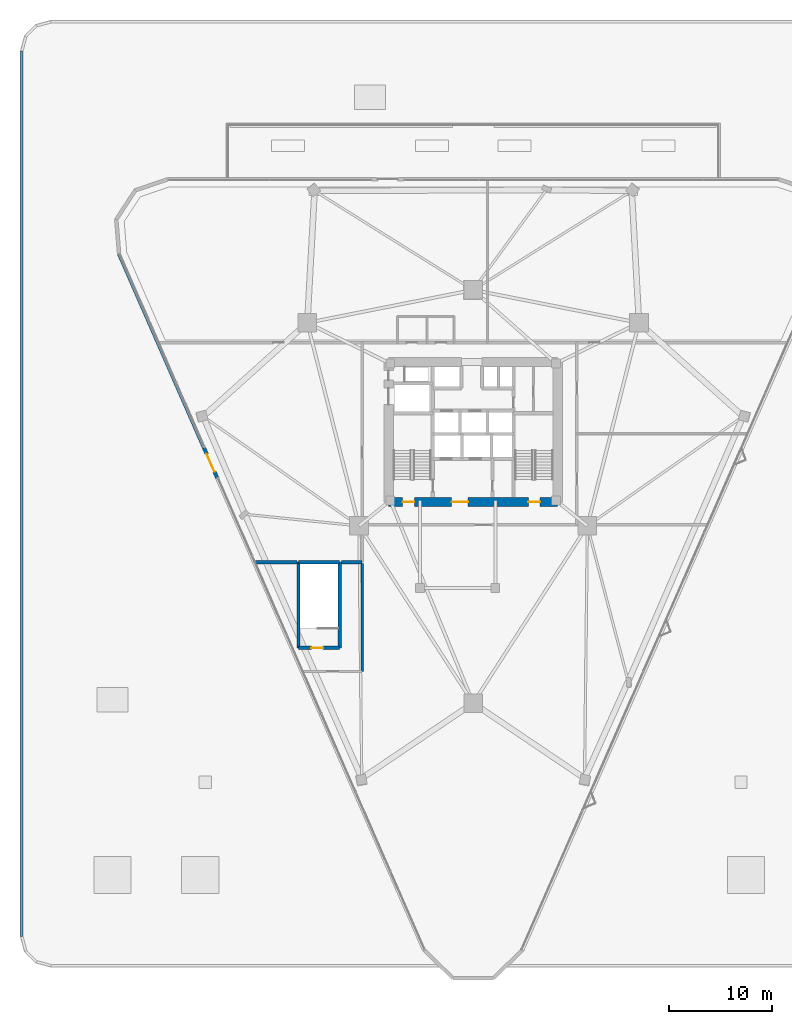
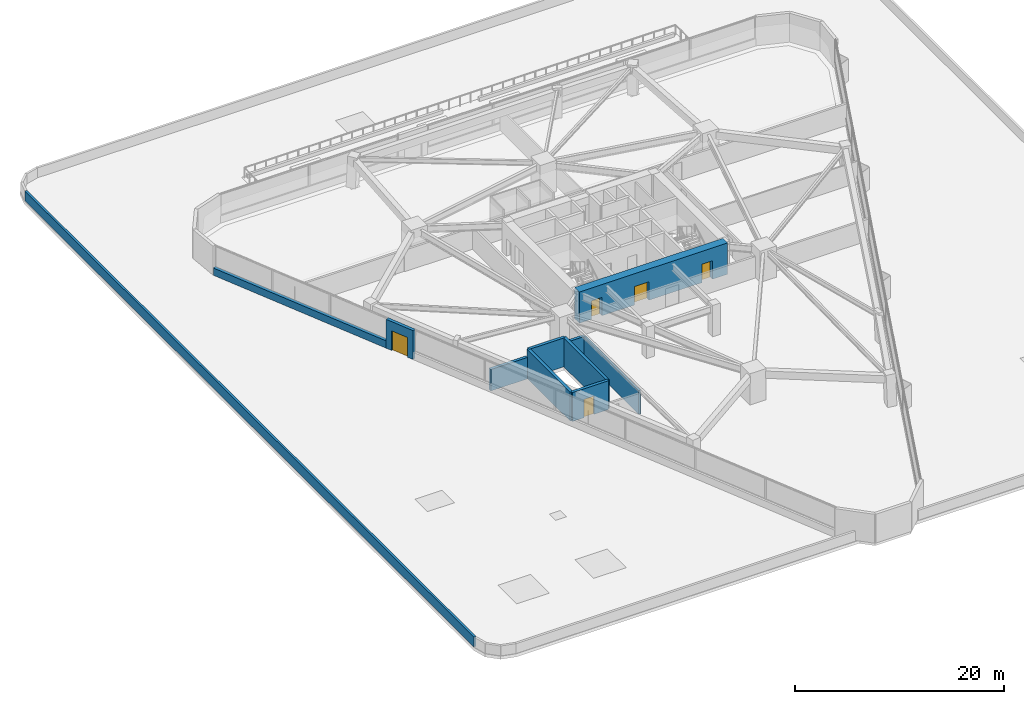
# One storey, part 16 of 21: 11 walls, 5 doors, 5 openings.
"""IFC4 building model written with IfcOpenShell, lengths in metres."""

from ifc_helpers import new_model, si_unit, direction, frame, frame_2d, origin, place, context, subcontext, project, spatial, rectangle, extrude, material, layer, layer_set, type_object, element, fill, save


model = new_model("IFC4")

# Units and contexts
model_context = context("Model", 3, precision=1e-05, world=origin(), true_north=direction((0.0, 1.0)))
body_context = subcontext(model_context, "Body", "Model", "MODEL_VIEW")
ifc_project = project(units=[si_unit("LENGTHUNIT", "METRE"), si_unit("AREAUNIT", "SQUARE_METRE"), si_unit("VOLUMEUNIT", "CUBIC_METRE"), si_unit("PLANEANGLEUNIT", "RADIAN"), si_unit("MASSUNIT", "GRAM", prefix="KILO")], contexts=[model_context])

# Site, building, storey
site_placement = place(None, origin())
site = spatial("IfcSite", under=ifc_project, at=site_placement, CompositionType="ELEMENT")
building_placement = place(site_placement, origin())
building = spatial("IfcBuilding", under=site, at=building_placement, Name="Talyreon Biosciences Tower", CompositionType="ELEMENT")
storey_placement = place(building_placement, frame((0.0, 0.0, 22.800048828125)))
storey = spatial("IfcBuildingStorey", under=building, at=storey_placement, Name="L05", CompositionType="ELEMENT", Elevation=22.800048828125)

# Walls
ifc_material_1 = material(Name="Concrete C50/60", Category="concrete")
ifc_layer_1 = layer(ifc_material_1, 0.320068359375)
ifc_layer_set_1 = layer_set([ifc_layer_1], Name="Concrete C50/60")
wall_type_1 = type_object("IfcWallType", Name="CoreShearWall_320", PredefinedType="SHEAR", material=ifc_layer_set_1)
for number, where, z_axis, x_axis, name in (
    (1, (49.0400390625, 47.0400390625, 0.0), (0.0, 0.0, 1.0), (0.0, 1.0, 0.0), "L05 Stair ST-3 Structural Wall W"),
    (2, (53.0400390625, 47.0400390625, 0.0), (0.0, 0.0, 1.0), (0.0, 1.0, 0.0), "L05 Stair ST-3 Structural Wall E"),
):
    element("IfcWall", number, at=place(storey_placement, frame(where, z_axis=z_axis, x_axis=x_axis)), inside=storey, type_object=wall_type_1, Name=name, PredefinedType="SHEAR", context=body_context, shape_type="SweptSolid", body=[
        extrude(rectangle(XDim=8.320068359375, YDim=0.320068359375, at=frame_2d((4.16015625, 0.0))), origin(), (0.0, 0.0, 1.0), 3.375),
    ])
wall_1_placement = place(storey_placement, frame((49.0400390625, 55.360107421875, 0.0), z_axis=(0.0, 0.0, 1.0), x_axis=(1.0, 0.0, 0.0)))
element("IfcWall", 3, at=wall_1_placement, inside=storey, type_object=wall_type_1, Name="L05 Stair ST-3 Structural Wall N", PredefinedType="SHEAR", context=body_context, shape_type="SweptSolid", body=[
    extrude(rectangle(XDim=4.0, YDim=0.320068359375, at=frame_2d((2.0, 0.0))), origin(), (0.0, 0.0, 1.0), 3.375),
])

# Wall, opening, door
wall_2_placement = place(storey_placement, frame((49.0400390625, 47.0400390625, 0.0), z_axis=(0.0, 0.0, 1.0), x_axis=(1.0, 0.0, 0.0)))
wall_2 = element("IfcWall", 4, at=wall_2_placement, inside=storey, type_object=wall_type_1, Name="L05 Stair ST-3 Structural Wall S", PredefinedType="SHEAR", context=body_context, shape_type="SweptSolid", body=[
    extrude(rectangle(XDim=4.0, YDim=0.320068359375, at=frame_2d((2.0, 0.0))), origin(), (0.0, 0.0, 1.0), 3.375),
])
opening_1_placement = place(wall_2_placement, frame((1.25, 0.0, 0.0)))
opening_1 = element("IfcOpeningElement", 5, at=opening_1_placement, cuts=wall_2, Name="Opening DR-L05-ST3", PredefinedType="OPENING", context=body_context, shape_type="SweptSolid", body=[
    extrude(rectangle(XDim=1.14990234375, YDim=2.14990234375, at=frame_2d((0.574951171875, 1.074951171875))), frame((0.0, 0.169921875, 0.0), z_axis=(0.0, -1.0, 0.0), x_axis=(1.0, 0.0, 0.0)), (0.0, 0.0, 1.0), 0.340087890625),
])
ifc_material_2 = material(Name="Painted steel fire door", Category="steel")
door_type_1 = type_object("IfcDoorType", Name="StairShaftFireDoor_1150x2150", OperationType="NOTDEFINED", PredefinedType="DOOR", material=ifc_material_2)
door_1_placement = place(opening_1_placement, origin())
door_1 = element("IfcDoor", 6, at=door_1_placement, inside=storey, type_object=door_type_1, Name="L05 Core Door DR-L05-ST3", OperationType="SINGLE_SWING_LEFT", OverallHeight=2.14990234375, OverallWidth=1.14990234375, PredefinedType="DOOR", context=body_context, shape_type="SweptSolid", body=[
    extrude(rectangle(XDim=1.14990234375, YDim=2.14990234375, at=frame_2d((0.574951171875, 1.074951171875))), frame((0.0, 0.02490234375, 0.0), z_axis=(0.0, -1.0, 0.0), x_axis=(1.0, 0.0, 0.0)), (0.0, 0.0, 1.0), 0.050048828125),
])
fill(opening_1, door_1)

# Wall, openings, doors
ifc_material_3 = material(Name="Concrete C60/75", Category="concrete")
ifc_layer_2 = layer(ifc_material_3, 0.89990234375)
ifc_layer_set_2 = layer_set([ifc_layer_2], Name="Concrete C60/75")
wall_type_2 = type_object("IfcWallType", Name="CoreShearWall_900", PredefinedType="SHEAR", material=ifc_layer_set_2)
wall_3_placement = place(storey_placement, frame((57.800048828125, 61.199951171875, 0.0), z_axis=(0.0, 0.0, 1.0), x_axis=(1.0, 0.0, 0.0)))
wall_3 = element("IfcWall", 7, at=wall_3_placement, inside=storey, type_object=wall_type_2, Name="L05 Core Shear Wall S", PredefinedType="SHEAR", context=body_context, shape_type="SweptSolid", body=[
    extrude(rectangle(XDim=16.39990234375, YDim=0.89990234375, at=frame_2d((8.199951171875, 0.0))), origin(), (0.0, 0.0, 1.0), 3.64990234375),
])
opening_2_placement = place(wall_3_placement, frame((1.35009765625, 0.0, 0.0)))
opening_2 = element("IfcOpeningElement", 8, at=opening_2_placement, cuts=wall_3, Name="Opening DR-L05-ST1", PredefinedType="OPENING", context=body_context, shape_type="SweptSolid", body=[
    extrude(rectangle(XDim=1.14990234375, YDim=2.14990234375, at=frame_2d((0.574951171875, 1.074951171875))), frame((0.0, 0.4599609375, 0.0), z_axis=(0.0, -1.0, 0.0), x_axis=(1.0, 0.0, 0.0)), (0.0, 0.0, 1.0), 0.919921875),
])
opening_3_placement = place(wall_3_placement, frame((6.10009765625, 0.0, 0.0)))
opening_3 = element("IfcOpeningElement", 9, at=opening_3_placement, cuts=wall_3, Name="Opening DR-L05-FFL", PredefinedType="OPENING", context=body_context, shape_type="SweptSolid", body=[
    extrude(rectangle(XDim=1.60009765625, YDim=2.14990234375, at=frame_2d((0.800048828125, 1.074951171875))), frame((0.0, 0.4599609375, 0.0), z_axis=(0.0, -1.0, 0.0), x_axis=(1.0, 0.0, 0.0)), (0.0, 0.0, 1.0), 0.919921875),
])
opening_4_placement = place(wall_3_placement, frame((13.550048828125, 0.0, 0.0)))
opening_4 = element("IfcOpeningElement", 10, at=opening_4_placement, cuts=wall_3, Name="Opening DR-L05-ST2", PredefinedType="OPENING", context=body_context, shape_type="SweptSolid", body=[
    extrude(rectangle(XDim=1.14990234375, YDim=2.14990234375, at=frame_2d((0.574951171875, 1.074951171875))), frame((0.0, 0.4599609375, 0.0), z_axis=(0.0, -1.0, 0.0), x_axis=(1.0, 0.0, 0.0)), (0.0, 0.0, 1.0), 0.919921875),
])
ifc_material_4 = material(Name="Painted steel smoke-seal fire door", Category="steel")
door_type_2 = type_object("IfcDoorType", Name="FirefightingLobbyDoubleDoor_1600x2150", OperationType="DOUBLE_DOOR_SINGLE_SWING", PredefinedType="DOOR", material=ifc_material_4)
door_2_placement = place(opening_3_placement, origin())
door_2 = element("IfcDoor", 11, at=door_2_placement, inside=storey, type_object=door_type_2, Name="L05 Core Door DR-L05-FFL", OperationType="DOUBLE_DOOR_SINGLE_SWING", OverallHeight=2.14990234375, OverallWidth=1.60009765625, PredefinedType="DOOR", context=body_context, shape_type="SweptSolid", body=[
    extrude(rectangle(XDim=1.60009765625, YDim=2.14990234375, at=frame_2d((0.800048828125, 1.074951171875))), frame((0.0, 0.02490234375, 0.0), z_axis=(0.0, -1.0, 0.0), x_axis=(1.0, 0.0, 0.0)), (0.0, 0.0, 1.0), 0.050048828125),
])
fill(opening_3, door_2)
door_3_placement = place(opening_2_placement, origin())
door_3 = element("IfcDoor", 12, at=door_3_placement, inside=storey, type_object=door_type_1, Name="L05 Core Door DR-L05-ST1", OperationType="SINGLE_SWING_LEFT", OverallHeight=2.14990234375, OverallWidth=1.14990234375, PredefinedType="DOOR", context=body_context, shape_type="SweptSolid", body=[
    extrude(rectangle(XDim=1.14990234375, YDim=2.14990234375, at=frame_2d((0.574951171875, 1.074951171875))), frame((0.0, 0.02490234375, 0.0), z_axis=(0.0, -1.0, 0.0), x_axis=(1.0, 0.0, 0.0)), (0.0, 0.0, 1.0), 0.050048828125),
])
fill(opening_2, door_3)
door_4_placement = place(opening_4_placement, origin())
door_4 = element("IfcDoor", 13, at=door_4_placement, inside=storey, type_object=door_type_1, Name="L05 Core Door DR-L05-ST2", OperationType="SINGLE_SWING_RIGHT", OverallHeight=2.14990234375, OverallWidth=1.14990234375, PredefinedType="DOOR", context=body_context, shape_type="SweptSolid", body=[
    extrude(rectangle(XDim=1.14990234375, YDim=2.14990234375, at=frame_2d((0.574951171875, 1.074951171875))), frame((0.0, 0.02490234375, 0.0), z_axis=(0.0, -1.0, 0.0), x_axis=(1.0, 0.0, 0.0)), (0.0, 0.0, 1.0), 0.050048828125),
])
fill(opening_4, door_4)

# Walls
ifc_material_5 = material(Name="Gypsum fireboard acoustic stud", Category="gypsum")
ifc_layer_3 = layer(ifc_material_5, 0.219970703125)
ifc_layer_set_3 = layer_set([ifc_layer_3], Name="Gypsum fireboard acoustic stud")
wall_type_3 = type_object("IfcWallType", Name="CorridorRatedPartition_220", PredefinedType="PARTITIONING", material=ifc_layer_set_3)
wall_4_placement = place(storey_placement, frame((55.22998046875, 44.75, 0.0), z_axis=(0.0, 0.0, 1.0), x_axis=(0.0, 1.0, 0.0)))
element("IfcWall", 14, at=wall_4_placement, inside=storey, type_object=wall_type_3, Name="L05 Interior Wall IW-L05-ST3-E", PredefinedType="PARTITIONING", context=body_context, shape_type="SweptSolid", body=[
    extrude(rectangle(XDim=10.5, YDim=0.219970703125, at=frame_2d((5.25, 0.0))), origin(), (0.0, 0.0, 1.0), 2.7548828125),
])
ifc_material_6 = material(Name="Precast concrete C45/55", Category="concrete")
ifc_layer_4 = layer(ifc_material_6, 0.239990234375)
ifc_layer_set_4 = layer_set([ifc_layer_4], Name="Precast concrete C45/55")
wall_type_4 = type_object("IfcWallType", Name="CrownParapet_240", PredefinedType="PARAPET", material=ifc_layer_set_4)
wall_5_placement = place(storey_placement, frame((22.179931640625, 19.023681640625, 0.0), z_axis=(0.0, 0.0, 1.0), x_axis=(0.0, 1.0, 0.0)))
element("IfcWall", 15, at=wall_5_placement, inside=storey, type_object=wall_type_4, Name="L05 Podium Skylight Roof Parapet 05", PredefinedType="PARAPET", context=body_context, shape_type="SweptSolid", body=[
    extrude(rectangle(XDim=85.95263671875, YDim=0.239990234375, at=frame_2d((42.976318359375, 0.0))), origin(), (0.0, 0.0, 1.0), 1.14990234375),
])

# Wall, opening, door
ifc_layer_5 = layer(ifc_material_6, 0.340087890625)
ifc_layer_set_5 = layer_set([ifc_layer_5], Name="Precast concrete C45/55")
wall_type_5 = type_object("IfcWallType", Name="PrecastConcreteSpandrelWall_340", PredefinedType="STANDARD", material=ifc_layer_set_5)
wall_6_placement = place(storey_placement, frame((41.151123046875, 63.52880859375, 0.0), z_axis=(0.0, 0.0, 1.0), x_axis=(-0.401383083928, 0.915910268496, 0.0)))
wall_6 = element("IfcWall", 16, at=wall_6_placement, inside=storey, type_object=wall_type_5, Name="L05 Podium Skylight Roof Concrete Door Pier", PredefinedType="STANDARD", context=body_context, shape_type="SweptSolid", body=[
    extrude(rectangle(XDim=3.199951171875, YDim=0.340087890625, at=frame_2d((1.60009765625, 0.0))), origin(), (0.0, 0.0, 1.0), 3.375),
])
opening_5_placement = place(wall_6_placement, frame((0.64990234375, 0.0, 0.0)))
opening_5 = element("IfcOpeningElement", 17, at=opening_5_placement, cuts=wall_6, Name="Opening D04", PredefinedType="OPENING", context=body_context, shape_type="SweptSolid", body=[
    extrude(rectangle(XDim=1.89990234375, YDim=2.300048828125, at=frame_2d((0.949951171875, 1.14990234375))), frame((0.0, 0.179931640625, 0.0), z_axis=(0.0, -1.0, 0.0), x_axis=(1.0, 0.0, 0.0)), (0.0, 0.0, 1.0), 0.360107421875),
])
ifc_material_7 = material(Name="Thermally broken low-E glazed terrace door", Category="aluminium")
door_type_3 = type_object("IfcDoorType", Name="SkyGardenTerraceDoubleDoor_1900x2300", OperationType="DOUBLE_DOOR_SINGLE_SWING", PredefinedType="DOOR", material=ifc_material_7)
door_5_placement = place(opening_5_placement, origin())
door_5 = element("IfcDoor", 18, at=door_5_placement, inside=storey, type_object=door_type_3, Name="L05 Podium Skylight Roof Access Door", OperationType="DOUBLE_DOOR_SINGLE_SWING", OverallHeight=2.300048828125, OverallWidth=1.89990234375, PredefinedType="DOOR", context=body_context, shape_type="SweptSolid", body=[
    extrude(rectangle(XDim=1.89990234375, YDim=2.300048828125, at=frame_2d((0.949951171875, 1.14990234375))), frame((0.0, 0.02490234375, 0.0), z_axis=(0.0, -1.0, 0.0), x_axis=(1.0, 0.0, 0.0)), (0.0, 0.0, 1.0), 0.050048828125),
])
fill(opening_5, door_5)

# Walls
wall_7_placement = place(storey_placement, frame((39.86669921875, 66.459716796875, 0.0), z_axis=(0.0, 0.0, 1.0), x_axis=(-0.401345184565, 0.915926876353, 0.0)))
element("IfcWall", 19, at=wall_7_placement, inside=storey, type_object=wall_type_5, Name="L05 Concrete Sill Spandrel 00B", PredefinedType="STANDARD", context=body_context, shape_type="SweptSolid", body=[
    extrude(rectangle(XDim=20.533935546875, YDim=0.340087890625, at=frame_2d((10.26708984375, 0.0))), origin(), (0.0, 0.0, 1.0), 0.849853515625),
])
ifc_material_8 = material(Name="Concrete C40/50", Category="concrete")
ifc_layer_6 = layer(ifc_material_8, 0.320068359375)
ifc_layer_set_6 = layer_set([ifc_layer_6], Name="Concrete C40/50")
wall_type_6 = type_object("IfcWallType", Name="ShaftCompartmentWall_320", PredefinedType="STANDARD", material=ifc_layer_set_6)
wall_8_placement = place(storey_placement, frame((44.8232421875, 55.360107421875, 0.0), z_axis=(0.0, 0.0, 1.0), x_axis=(1.0, 0.0, 0.0)))
element("IfcWall", 20, at=wall_8_placement, inside=storey, type_object=wall_type_6, Name="L05 Interior Wall IW-L05-ST3-NW", PredefinedType="STANDARD", context=body_context, shape_type="SweptSolid", body=[
    extrude(rectangle(XDim=4.056640625, YDim=0.320068359375, at=frame_2d((2.0283203125, 0.0))), origin(), (0.0, 0.0, 1.0), 2.5048828125),
])
wall_9_placement = place(storey_placement, frame((53.199951171875, 55.360107421875, 0.0), z_axis=(0.0, 0.0, 1.0), x_axis=(1.0, 0.0, 0.0)))
element("IfcWall", 21, at=wall_9_placement, inside=storey, type_object=wall_type_6, Name="L05 Interior Wall IW-L05-ST3-NE", PredefinedType="STANDARD", context=body_context, shape_type="SweptSolid", body=[
    extrude(rectangle(XDim=2.030029296875, YDim=0.320068359375, at=frame_2d((1.01513671875, 0.0))), origin(), (0.0, 0.0, 1.0), 2.7548828125),
])

save(model, "model.ifc")
